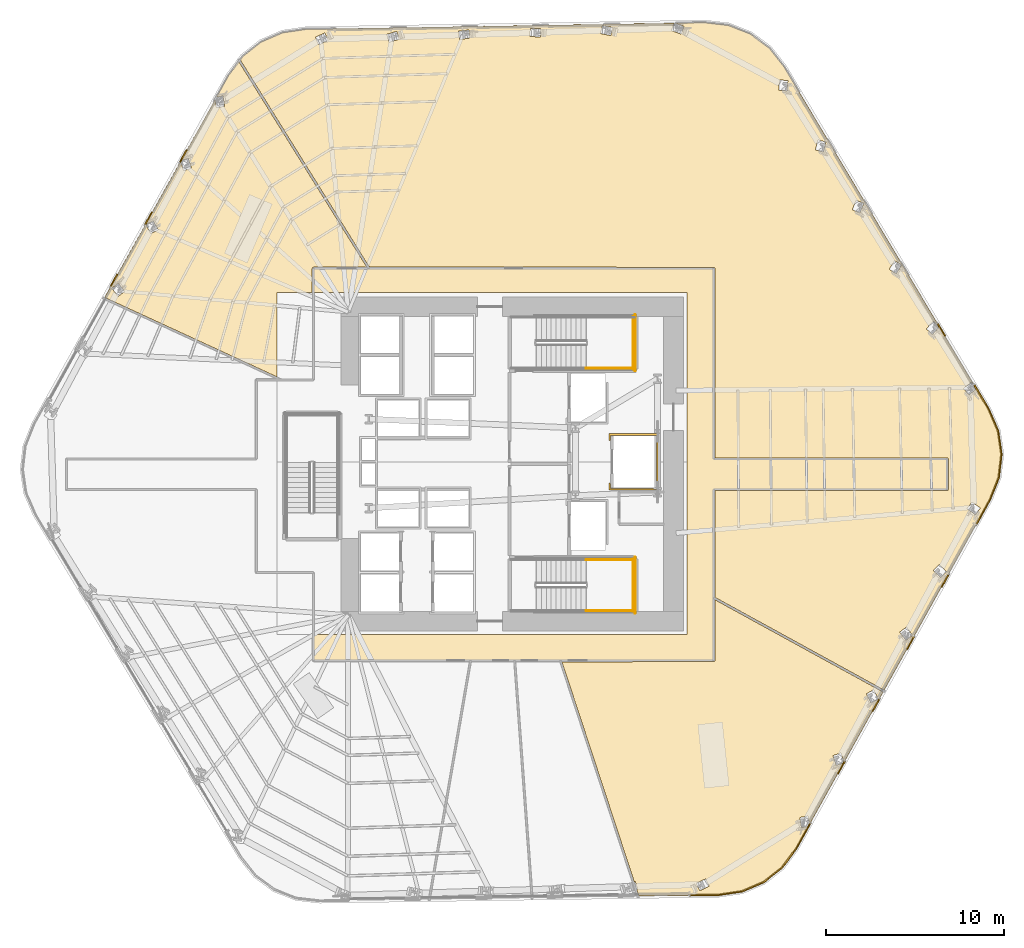
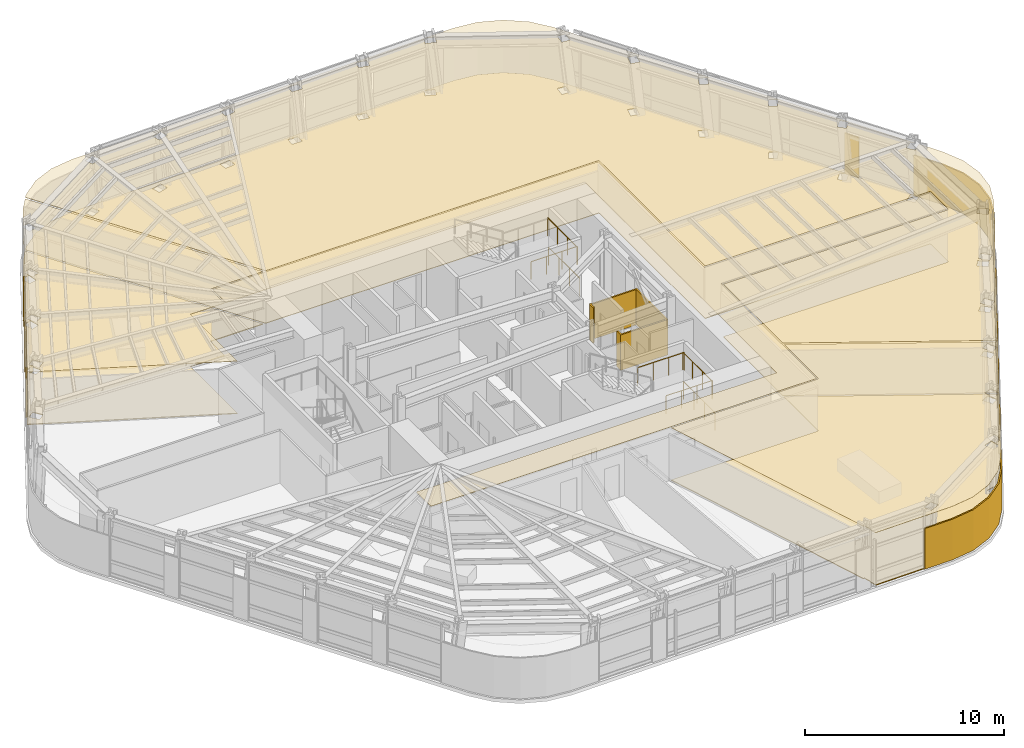
# One storey, part 13 of 15: 18 coverings, 7 railings.
"""IFC4 building model written with IfcOpenShell, lengths in metres."""

from ifc_helpers import new_model, si_unit, direction, frame, origin, origin_2d, place, context, subcontext, project, spatial, polyline, circle, outline, extrude, material, layer, layer_set, type_object, element, save


model = new_model("IFC4")

# Units and contexts
model_context = context("Model", 3, precision=1e-05, world=origin(), true_north=direction((0.0, 1.0)))
body_context = subcontext(model_context, "Body", "Model", "MODEL_VIEW")
ifc_project = project(units=[si_unit("LENGTHUNIT", "METRE"), si_unit("AREAUNIT", "SQUARE_METRE"), si_unit("VOLUMEUNIT", "CUBIC_METRE"), si_unit("PLANEANGLEUNIT", "RADIAN"), si_unit("MASSUNIT", "GRAM", prefix="KILO")], contexts=[model_context])

# Site, building, storey
site_placement = place(None, origin())
site = spatial("IfcSite", under=ifc_project, at=site_placement, CompositionType="ELEMENT")
building_placement = place(site_placement, origin())
building = spatial("IfcBuilding", under=site, at=building_placement, Name="Valkerne Bourse Tower", CompositionType="ELEMENT")
storey_placement = place(building_placement, frame((0.0, 0.0, 27.800048828125)))
storey = spatial("IfcBuildingStorey", under=building, at=storey_placement, Name="L06", CompositionType="ELEMENT", Elevation=27.800048828125)

# Coverings
ifc_material_1 = material(Name="Mineral Fiber Acoustic Ceiling Tile", Category="acoustic")
ifc_layer_1 = layer(ifc_material_1, 0.02490234375)
ifc_layer_set_1 = layer_set([ifc_layer_1], Name="Mineral Fiber Acoustic Ceiling Tile")
covering_type_1 = type_object("IfcCoveringType", Name="COV-CEIL-ACT", PredefinedType="CEILING", material=ifc_layer_set_1)
covering_1_placement = place(storey_placement, frame((0.0, 0.0, 3.22998046875)))
element("IfcCovering", 1, at=covering_1_placement, inside=storey, type_object=covering_type_1, Name="L06 Suspended Ceiling 05", PredefinedType="CEILING", context=body_context, shape_type="SweptSolid", body=[
    extrude(outline(polyline([(38.64599609375, 37.9189453125), (35.6494140625, 37.9189453125), (35.614013671875, 37.908935546875), (35.587890625, 37.880126953125), (35.5810546875, 37.8505859375), (35.5810546875, 36.5), (33.60009765625, 36.5), (33.60009765625, 31.767578125), (23.933349609375, 36.21923828125), (28.18994140625, 43.850830078125), (28.361572265625, 43.333984375), (28.799560546875, 43.477294921875), (28.802001953125, 43.47998046875), (28.620361328125, 44.02685546875), (28.214111328125, 43.89404296875), (30.12939453125, 47.327880859375), (30.207763671875, 46.87451171875), (30.662109375, 46.950927734375), (30.6650390625, 46.953369140625), (30.56689453125, 47.52099609375), (30.202880859375, 47.4599609375), (30.87646484375, 48.66748046875), (31.4619140625, 49.45556640625), (38.64599609375, 37.9189453125)]), holes=[polyline([(25.057373046875, 36.555908203125), (24.709716796875, 37.015380859375), (24.3408203125, 36.73876953125), (24.339599609375, 36.735595703125), (24.687255859375, 36.276123046875), (25.055908203125, 36.552734375), (25.057373046875, 36.555908203125)]), polyline([(26.931884765625, 40.012451171875), (26.93408203125, 40.015380859375), (26.666748046875, 40.52587890625), (26.257568359375, 40.31396484375), (26.255615234375, 40.31103515625), (26.522705078125, 39.80029296875), (26.931884765625, 40.012451171875)])]), origin(), (0.0, 0.0, 1.0), 0.02490234375),
])
covering_2_placement = place(storey_placement, frame((0.0, 0.0, 3.22998046875)))
element("IfcCovering", 2, at=covering_2_placement, inside=storey, type_object=covering_type_1, Name="L06 Suspended Ceiling 06", PredefinedType="CEILING", context=body_context, shape_type="SweptSolid", body=[
    extrude(outline(polyline([(59.69775390625, 2.90185546875), (58.383056640625, 2.70751953125), (53.9091796875, 2.641357421875), (53.79150390625, 2.99951171875), (53.83349609375, 3.01171875), (53.7041015625, 3.455810546875), (53.700439453125, 3.454833984375), (53.646728515625, 3.439208984375), (49.589111328125, 15.781005859375), (58.123779296875, 15.784912109375), (58.156005859375, 15.80908203125), (58.1689453125, 15.849365234375), (58.1689453125, 19.265380859375), (67.6083984375, 14.086181640625), (65.414306640625, 10.135986328125), (65.23828125, 10.666015625), (64.80029296875, 10.522705078125), (64.7978515625, 10.52001953125), (64.9794921875, 9.97314453125), (65.400390625, 10.110595703125), (63.475341796875, 6.644775390625), (63.39208984375, 7.12548828125), (62.93798828125, 7.049072265625), (62.934814453125, 7.046630859375), (63.033203125, 6.47900390625), (63.419189453125, 6.543701171875), (62.7353515625, 5.3125), (61.943115234375, 4.24560546875), (60.90869140625, 3.42578125), (59.69775390625, 2.90185546875)]), holes=[polyline([(57.8447265625, 3.180419921875), (57.650634765625, 3.6005859375), (57.647216796875, 3.59912109375), (57.126708984375, 3.358154296875), (57.32080078125, 2.938232421875), (57.32421875, 2.939697265625), (57.8447265625, 3.180419921875)]), polyline([(67.344482421875, 13.68896484375), (67.077392578125, 14.19970703125), (66.66796875, 13.987548828125), (66.666015625, 13.984619140625), (66.93310546875, 13.47412109375), (67.342529296875, 13.68603515625), (67.344482421875, 13.68896484375)])]), origin(), (0.0, 0.0, 1.0), 0.02490234375),
])
covering_3_placement = place(storey_placement, frame((0.0, 0.0, 3.22998046875)))
element("IfcCovering", 3, at=covering_3_placement, inside=storey, type_object=covering_type_1, Name="L06 Suspended Ceiling 08", PredefinedType="CEILING", context=body_context, shape_type="SweptSolid", body=[
    extrude(outline(polyline([(33.914306640625, 51.078125), (35.22900390625, 51.2724609375), (55.8896484375, 51.615478515625), (55.734375, 51.19580078125), (55.73779296875, 51.194580078125), (56.27587890625, 50.99560546875), (56.4365234375, 51.429443359375), (56.43310546875, 51.430908203125), (55.931884765625, 51.6162109375), (57.6142578125, 51.644287109375), (58.9345703125, 51.491455078125), (60.161376953125, 51.005615234375), (61.220703125, 50.218994140625), (62.046142578125, 49.177490234375), (72.73291015625, 31.28466796875), (72.572509765625, 31.47705078125), (72.128173828125, 31.1103515625), (72.128662109375, 31.106689453125), (72.423828125, 30.752685546875), (72.84375, 31.099365234375), (73.5263671875, 29.956298828125), (74.05419921875, 28.736572265625), (74.2470703125, 27.43115234375), (74.09521484375, 26.120361328125), (73.60595703125, 24.884521484375), (67.665771484375, 14.189208984375), (58.1689453125, 19.400146484375), (58.1689453125, 25.381103515625), (71.210205078125, 25.381591796875), (71.251708984375, 25.40380859375), (71.26904296875, 25.44921875), (71.26904296875, 27.15087890625), (71.251220703125, 27.196533203125), (71.22900390625, 27.212646484375), (71.200439453125, 27.218994140625), (58.1689453125, 27.218994140625), (58.1689453125, 37.8505859375), (58.156005859375, 37.890869140625), (58.122802734375, 37.915283203125), (38.784912109375, 37.9189453125), (31.53759765625, 49.557373046875), (31.6689453125, 49.734619140625), (32.703125, 50.55419921875), (33.914306640625, 51.078125)]), holes=[polyline([(35.952880859375, 50.40087890625), (36.473388671875, 50.641845703125), (36.279296875, 51.061767578125), (36.27587890625, 51.060302734375), (35.755126953125, 50.819580078125), (35.94921875, 50.3994140625), (35.952880859375, 50.40087890625)]), polyline([(39.8994140625, 50.545166015625), (40.450439453125, 50.705810546875), (40.321044921875, 51.14990234375), (40.317626953125, 51.14892578125), (39.7666015625, 50.98828125), (39.89599609375, 50.544189453125), (39.8994140625, 50.545166015625)]), polyline([(44.41748046875, 50.76904296875), (44.361083984375, 51.228271484375), (44.357666015625, 51.227783203125), (43.787841796875, 51.15771484375), (43.84423828125, 50.698486328125), (43.847900390625, 50.698974609375), (44.41748046875, 50.76904296875)]), polyline([(48.3955078125, 51.29833984375), (48.39208984375, 51.298583984375), (47.818603515625, 51.323486328125), (47.79833984375, 50.861328125), (47.8017578125, 50.861083984375), (48.37548828125, 50.836181640625), (48.3955078125, 51.29833984375)]), polyline([(52.421142578125, 51.364013671875), (52.41748046875, 51.36474609375), (51.855712890625, 51.481689453125), (51.761474609375, 51.028564453125), (51.764892578125, 51.02783203125), (52.326904296875, 50.910888671875), (52.421142578125, 51.364013671875)]), polyline([(69.259033203125, 17.26123046875), (69.260498046875, 17.264404296875), (68.91259765625, 17.723876953125), (68.5439453125, 17.447265625), (68.54248046875, 17.444091796875), (68.890380859375, 16.984619140625), (69.259033203125, 17.26123046875)]), polyline([(71.165771484375, 20.837158203125), (71.16650390625, 20.840576171875), (70.749267578125, 21.238037109375), (70.429931640625, 20.90576171875), (70.42919921875, 20.90234375), (70.84619140625, 20.5048828125), (71.165771484375, 20.837158203125)]), polyline([(73.0634765625, 24.413330078125), (72.591552734375, 24.743896484375), (72.3251953125, 24.3681640625), (72.324951171875, 24.3642578125), (72.796630859375, 24.03369140625), (73.06298828125, 24.40966796875), (73.0634765625, 24.413330078125)]), polyline([(70.765380859375, 34.575439453125), (70.764404296875, 34.578857421875), (70.419921875, 34.885009765625), (70.03515625, 34.4560546875), (70.0361328125, 34.45263671875), (70.380615234375, 34.146484375), (70.765380859375, 34.575439453125)]), polyline([(68.651611328125, 38.037353515625), (68.26220703125, 38.2841796875), (67.951416015625, 37.799072265625), (67.952880859375, 37.7958984375), (68.34228515625, 37.549072265625), (68.653076171875, 38.0341796875), (68.651611328125, 38.037353515625)]), polyline([(66.531005859375, 41.491455078125), (66.52880859375, 41.494384765625), (66.10400390625, 41.673583984375), (65.877685546875, 41.1435546875), (65.8798828125, 41.140869140625), (66.304443359375, 40.961669921875), (66.531005859375, 41.491455078125)]), polyline([(64.400634765625, 44.942626953125), (64.398193359375, 44.9453125), (63.9501953125, 45.0537109375), (63.81201171875, 44.494384765625), (63.814453125, 44.49169921875), (64.262451171875, 44.38330078125), (64.400634765625, 44.942626953125)]), polyline([(62.26318359375, 48.38720703125), (61.80419921875, 48.427490234375), (61.750732421875, 47.85400390625), (61.75390625, 47.8515625), (62.212646484375, 47.811279296875), (62.26611328125, 48.385009765625), (62.26318359375, 48.38720703125)])]), origin(), (0.0, 0.0, 1.0), 0.02490234375),
])
ifc_material_2 = material(Name="Bronze Anodised Aluminium AA 6063-T6", Category="aluminium")
ifc_layer_2 = layer(ifc_material_2, 0.030029296875)
ifc_layer_set_2 = layer_set([ifc_layer_2], Name="Bronze Anodised Aluminium AA 6063-T6")
covering_type_2 = type_object("IfcCoveringType", Name="COV-CEIL-METAL", PredefinedType="CEILING", material=ifc_layer_set_2)
covering_4_placement = place(storey_placement, frame((0.0, 0.0, 3.22998046875)))
element("IfcCovering", 4, at=covering_4_placement, inside=storey, type_object=covering_type_2, Name="L06 Suspended Ceiling 01", PredefinedType="CEILING", context=body_context, shape_type="SweptSolid", body=[
    extrude(outline(polyline([(71.196044921875, 27.14599609375), (71.196044921875, 25.4541015625), (58.095947265625, 25.4541015625), (58.095947265625, 15.85400390625), (35.654052734375, 15.85400390625), (35.654052734375, 17.300048828125), (56.60009765625, 17.300048828125), (56.60009765625, 36.5), (35.654052734375, 36.5), (35.654052734375, 37.845947265625), (58.095947265625, 37.845947265625), (58.095947265625, 27.14599609375), (71.196044921875, 27.14599609375)])), origin(), (0.0, 0.0, 1.0), 0.02490234375),
])
ifc_layer_3 = layer(ifc_material_2, 0.06005859375)
ifc_layer_set_3 = layer_set([ifc_layer_3], Name="Bronze Anodised Aluminium AA 6063-T6")
covering_type_3 = type_object("IfcCoveringType", Name="COV-CRN-ALUM", PredefinedType="CLADDING", material=ifc_layer_set_3)
covering_5_placement = place(storey_placement, origin())
element("IfcCovering", 5, at=covering_5_placement, inside=storey, type_object=covering_type_3, Name="L06 Wind-Shaped Corner Aluminium Cladding 01", PredefinedType="CLADDING", context=body_context, shape_type="SweptSolid", body=[
    extrude(outline(polyline([(61.974853515625, 4.214599609375), (60.931640625, 3.3876953125), (59.7099609375, 2.859130859375), (58.38671875, 2.663818359375), (56.75390625, 2.639404296875), (56.752685546875, 2.719482421875), (58.380126953125, 2.74365234375), (59.68798828125, 2.936767578125), (60.89013671875, 3.45703125), (61.9169921875, 4.270751953125), (62.705078125, 5.33203125), (63.495361328125, 6.7548828125), (63.565185546875, 6.716064453125), (62.7724609375, 5.28857421875), (61.974853515625, 4.214599609375)])), origin(), (0.0, 0.0, 1.0), 2.5),
])
covering_6_placement = place(storey_placement, origin())
element("IfcCovering", 6, at=covering_6_placement, inside=storey, type_object=covering_type_3, Name="L06 Wind-Shaped Corner Aluminium Cladding 13", PredefinedType="CLADDING", context=body_context, shape_type="SweptSolid", body=[
    extrude(outline(polyline([(24.619384765625, 37.53955078125), (24.689208984375, 37.500732421875), (24.280029296875, 36.76708984375), (24.210205078125, 36.805908203125), (24.619384765625, 37.53955078125)])), origin(), (0.0, 0.0, 1.0), 2.5),
])
covering_7_placement = place(storey_placement, origin())
element("IfcCovering", 7, at=covering_7_placement, inside=storey, type_object=covering_type_3, Name="L06 Wind-Shaped Corner Aluminium Cladding 14", PredefinedType="CLADDING", context=body_context, shape_type="SweptSolid", body=[
    extrude(outline(polyline([(26.56591796875, 41.029296875), (26.6357421875, 40.990478515625), (26.2265625, 40.257080078125), (26.15673828125, 40.2958984375), (26.56591796875, 41.029296875)])), origin(), (0.0, 0.0, 1.0), 2.5),
])
covering_8_placement = place(storey_placement, origin())
element("IfcCovering", 8, at=covering_8_placement, inside=storey, type_object=covering_type_3, Name="L06 Wind-Shaped Corner Aluminium Cladding 15", PredefinedType="CLADDING", context=body_context, shape_type="SweptSolid", body=[
    extrude(outline(polyline([(28.512451171875, 44.519287109375), (28.582275390625, 44.48046875), (28.173095703125, 43.746826171875), (28.103271484375, 43.785888671875), (28.512451171875, 44.519287109375)])), origin(), (0.0, 0.0, 1.0), 2.5),
])
covering_9_placement = place(storey_placement, origin())
element("IfcCovering", 9, at=covering_9_placement, inside=storey, type_object=covering_type_3, Name="L06 Wind-Shaped Corner Aluminium Cladding 25", PredefinedType="CLADDING", context=body_context, shape_type="SweptSolid", body=[
    extrude(outline(polyline([(71.115966796875, 34.077880859375), (71.04736328125, 34.03662109375), (70.61669921875, 34.7578125), (70.685302734375, 34.799072265625), (71.115966796875, 34.077880859375)])), origin(), (0.0, 0.0, 1.0), 2.5),
])
covering_10_placement = place(storey_placement, origin())
element("IfcCovering", 10, at=covering_10_placement, inside=storey, type_object=covering_type_3, Name="L06 Wind-Shaped Corner Aluminium Cladding 26", PredefinedType="CLADDING", context=body_context, shape_type="SweptSolid", body=[
    extrude(outline(polyline([(73.5654296875, 29.9765625), (74.0966796875, 28.748779296875), (74.291259765625, 27.431884765625), (74.13818359375, 26.109619140625), (73.645751953125, 24.86572265625), (72.858642578125, 23.448486328125), (72.788818359375, 23.4873046875), (73.573486328125, 24.89990234375), (74.06005859375, 26.129150390625), (74.210693359375, 27.4306640625), (74.019287109375, 28.726806640625), (73.494140625, 29.93994140625), (72.66552734375, 31.3271484375), (72.734130859375, 31.368408203125), (73.5654296875, 29.9765625)])), origin(), (0.0, 0.0, 1.0), 2.5),
])
covering_11_placement = place(storey_placement, origin())
element("IfcCovering", 11, at=covering_11_placement, inside=storey, type_object=covering_type_3, Name="L06 Wind-Shaped Corner Aluminium Cladding 27", PredefinedType="CLADDING", context=body_context, shape_type="SweptSolid", body=[
    extrude(outline(polyline([(70.91845703125, 19.955078125), (70.848388671875, 19.994140625), (71.25634765625, 20.728271484375), (71.326416015625, 20.689453125), (70.91845703125, 19.955078125)])), origin(), (0.0, 0.0, 1.0), 2.5),
])
covering_12_placement = place(storey_placement, origin())
element("IfcCovering", 12, at=covering_12_placement, inside=storey, type_object=covering_type_3, Name="L06 Wind-Shaped Corner Aluminium Cladding 28", PredefinedType="CLADDING", context=body_context, shape_type="SweptSolid", body=[
    extrude(outline(polyline([(68.978271484375, 16.4619140625), (68.908203125, 16.500732421875), (69.316162109375, 17.235107421875), (69.385986328125, 17.196044921875), (68.978271484375, 16.4619140625)])), origin(), (0.0, 0.0, 1.0), 2.5),
])
covering_13_placement = place(storey_placement, origin())
element("IfcCovering", 13, at=covering_13_placement, inside=storey, type_object=covering_type_3, Name="L06 Wind-Shaped Corner Aluminium Cladding 29", PredefinedType="CLADDING", context=body_context, shape_type="SweptSolid", body=[
    extrude(outline(polyline([(67.037841796875, 12.968505859375), (66.968017578125, 13.00732421875), (67.3759765625, 13.74169921875), (67.44580078125, 13.70263671875), (67.037841796875, 12.968505859375)])), origin(), (0.0, 0.0, 1.0), 2.5),
])
covering_14_placement = place(storey_placement, origin())
element("IfcCovering", 14, at=covering_14_placement, inside=storey, type_object=covering_type_3, Name="L06 Wind-Shaped Corner Aluminium Cladding 30", PredefinedType="CLADDING", context=body_context, shape_type="SweptSolid", body=[
    extrude(outline(polyline([(65.09765625, 9.47509765625), (65.02783203125, 9.513916015625), (65.435546875, 10.248291015625), (65.505615234375, 10.20947265625), (65.09765625, 9.47509765625)])), origin(), (0.0, 0.0, 1.0), 2.5),
])
ifc_material_3 = material(Name="Galvanised Painted Steel", Category="steel")
ifc_layer_4 = layer(ifc_material_3, 0.044921875)
ifc_layer_set_4 = layer_set([ifc_layer_4], Name="Galvanised Painted Steel")
covering_type_4 = type_object("IfcCoveringType", Name="COV-FLR-RAF", PredefinedType="FLOORING", material=ifc_layer_set_4)
covering_15_placement = place(storey_placement, origin())
element("IfcCovering", 15, at=covering_15_placement, inside=storey, type_object=covering_type_4, Name="L06 Floor Finish 05", PredefinedType="FLOORING", context=body_context, shape_type="SweptSolid", body=[
    extrude(outline(polyline([(38.64599609375, 37.9189453125), (35.6494140625, 37.9189453125), (35.614013671875, 37.908935546875), (35.587890625, 37.880126953125), (35.5810546875, 37.8505859375), (35.5810546875, 36.5), (33.60009765625, 36.5), (33.60009765625, 31.767578125), (23.933349609375, 36.21923828125), (28.18994140625, 43.850830078125), (28.361572265625, 43.333984375), (28.799560546875, 43.477294921875), (28.802001953125, 43.47998046875), (28.620361328125, 44.02685546875), (28.214111328125, 43.89404296875), (30.12939453125, 47.327880859375), (30.207763671875, 46.87451171875), (30.662109375, 46.950927734375), (30.6650390625, 46.953369140625), (30.56689453125, 47.52099609375), (30.202880859375, 47.4599609375), (30.87646484375, 48.66748046875), (31.4619140625, 49.45556640625), (38.64599609375, 37.9189453125)]), holes=[polyline([(25.057373046875, 36.555908203125), (24.709716796875, 37.015380859375), (24.3408203125, 36.73876953125), (24.339599609375, 36.735595703125), (24.687255859375, 36.276123046875), (25.055908203125, 36.552734375), (25.057373046875, 36.555908203125)]), polyline([(26.931884765625, 40.012451171875), (26.93408203125, 40.015380859375), (26.666748046875, 40.52587890625), (26.257568359375, 40.31396484375), (26.255615234375, 40.31103515625), (26.522705078125, 39.80029296875), (26.931884765625, 40.012451171875)])]), origin(), (0.0, 0.0, 1.0), 0.044921875),
])
covering_16_placement = place(storey_placement, origin())
element("IfcCovering", 16, at=covering_16_placement, inside=storey, type_object=covering_type_4, Name="L06 Floor Finish 06", PredefinedType="FLOORING", context=body_context, shape_type="SweptSolid", body=[
    extrude(outline(polyline([(59.69775390625, 2.90185546875), (58.383056640625, 2.70751953125), (53.9091796875, 2.641357421875), (53.79150390625, 2.99951171875), (53.83349609375, 3.01171875), (53.7041015625, 3.455810546875), (53.700439453125, 3.454833984375), (53.646728515625, 3.439208984375), (49.589111328125, 15.781005859375), (58.123779296875, 15.784912109375), (58.156005859375, 15.80908203125), (58.1689453125, 15.849365234375), (58.1689453125, 19.265380859375), (67.6083984375, 14.086181640625), (65.414306640625, 10.135986328125), (65.23828125, 10.666015625), (64.80029296875, 10.522705078125), (64.7978515625, 10.52001953125), (64.9794921875, 9.97314453125), (65.400390625, 10.110595703125), (63.475341796875, 6.644775390625), (63.39208984375, 7.12548828125), (62.93798828125, 7.049072265625), (62.934814453125, 7.046630859375), (63.033203125, 6.47900390625), (63.419189453125, 6.543701171875), (62.7353515625, 5.3125), (61.943115234375, 4.24560546875), (60.90869140625, 3.42578125), (59.69775390625, 2.90185546875)]), holes=[polyline([(57.8447265625, 3.180419921875), (57.650634765625, 3.6005859375), (57.647216796875, 3.59912109375), (57.126708984375, 3.358154296875), (57.32080078125, 2.938232421875), (57.32421875, 2.939697265625), (57.8447265625, 3.180419921875)]), polyline([(67.344482421875, 13.68896484375), (67.077392578125, 14.19970703125), (66.66796875, 13.987548828125), (66.666015625, 13.984619140625), (66.93310546875, 13.47412109375), (67.342529296875, 13.68603515625), (67.344482421875, 13.68896484375)])]), origin(), (0.0, 0.0, 1.0), 0.044921875),
])
ifc_material_4 = material(Name="Polished Granite Stone", Category="masonry")
ifc_layer_5 = layer(ifc_material_4, 0.030029296875)
ifc_layer_set_5 = layer_set([ifc_layer_5], Name="Polished Granite Stone")
covering_type_5 = type_object("IfcCoveringType", Name="COV-FLR-TERRAZZO", PredefinedType="FLOORING", material=ifc_layer_set_5)
covering_17_placement = place(storey_placement, origin())
element("IfcCovering", 17, at=covering_17_placement, inside=storey, type_object=covering_type_5, Name="L06 Floor Finish 08", PredefinedType="FLOORING", context=body_context, shape_type="SweptSolid", body=[
    extrude(outline(polyline([(33.914306640625, 51.078125), (35.22900390625, 51.2724609375), (55.8896484375, 51.615478515625), (55.734375, 51.19580078125), (55.73779296875, 51.194580078125), (56.27587890625, 50.99560546875), (56.4365234375, 51.429443359375), (56.43310546875, 51.430908203125), (55.931884765625, 51.6162109375), (57.6142578125, 51.644287109375), (58.9345703125, 51.491455078125), (60.161376953125, 51.005615234375), (61.220703125, 50.218994140625), (62.046142578125, 49.177490234375), (72.73291015625, 31.28466796875), (72.572509765625, 31.47705078125), (72.128173828125, 31.1103515625), (72.128662109375, 31.106689453125), (72.423828125, 30.752685546875), (72.84375, 31.099365234375), (73.5263671875, 29.956298828125), (74.05419921875, 28.736572265625), (74.2470703125, 27.43115234375), (74.09521484375, 26.120361328125), (73.60595703125, 24.884521484375), (67.665771484375, 14.189208984375), (58.1689453125, 19.400146484375), (58.1689453125, 25.381103515625), (71.210205078125, 25.381591796875), (71.251708984375, 25.40380859375), (71.26904296875, 25.44921875), (71.26904296875, 27.15087890625), (71.251220703125, 27.196533203125), (71.22900390625, 27.212646484375), (71.200439453125, 27.218994140625), (58.1689453125, 27.218994140625), (58.1689453125, 37.8505859375), (58.156005859375, 37.890869140625), (58.122802734375, 37.915283203125), (38.784912109375, 37.9189453125), (31.53759765625, 49.557373046875), (31.6689453125, 49.734619140625), (32.703125, 50.55419921875), (33.914306640625, 51.078125)]), holes=[polyline([(35.952880859375, 50.40087890625), (36.473388671875, 50.641845703125), (36.279296875, 51.061767578125), (36.27587890625, 51.060302734375), (35.755126953125, 50.819580078125), (35.94921875, 50.3994140625), (35.952880859375, 50.40087890625)]), polyline([(39.8994140625, 50.545166015625), (40.450439453125, 50.705810546875), (40.321044921875, 51.14990234375), (40.317626953125, 51.14892578125), (39.7666015625, 50.98828125), (39.89599609375, 50.544189453125), (39.8994140625, 50.545166015625)]), polyline([(44.41748046875, 50.76904296875), (44.361083984375, 51.228271484375), (44.357666015625, 51.227783203125), (43.787841796875, 51.15771484375), (43.84423828125, 50.698486328125), (43.847900390625, 50.698974609375), (44.41748046875, 50.76904296875)]), polyline([(48.3955078125, 51.29833984375), (48.39208984375, 51.298583984375), (47.818603515625, 51.323486328125), (47.79833984375, 50.861328125), (47.8017578125, 50.861083984375), (48.37548828125, 50.836181640625), (48.3955078125, 51.29833984375)]), polyline([(52.421142578125, 51.364013671875), (52.41748046875, 51.36474609375), (51.855712890625, 51.481689453125), (51.761474609375, 51.028564453125), (51.764892578125, 51.02783203125), (52.326904296875, 50.910888671875), (52.421142578125, 51.364013671875)]), polyline([(69.259033203125, 17.26123046875), (69.260498046875, 17.264404296875), (68.91259765625, 17.723876953125), (68.5439453125, 17.447265625), (68.54248046875, 17.444091796875), (68.890380859375, 16.984619140625), (69.259033203125, 17.26123046875)]), polyline([(71.165771484375, 20.837158203125), (71.16650390625, 20.840576171875), (70.749267578125, 21.238037109375), (70.429931640625, 20.90576171875), (70.42919921875, 20.90234375), (70.84619140625, 20.5048828125), (71.165771484375, 20.837158203125)]), polyline([(73.0634765625, 24.413330078125), (72.591552734375, 24.743896484375), (72.3251953125, 24.3681640625), (72.324951171875, 24.3642578125), (72.796630859375, 24.03369140625), (73.06298828125, 24.40966796875), (73.0634765625, 24.413330078125)]), polyline([(70.765380859375, 34.575439453125), (70.764404296875, 34.578857421875), (70.419921875, 34.885009765625), (70.03515625, 34.4560546875), (70.0361328125, 34.45263671875), (70.380615234375, 34.146484375), (70.765380859375, 34.575439453125)]), polyline([(68.651611328125, 38.037353515625), (68.26220703125, 38.2841796875), (67.951416015625, 37.799072265625), (67.952880859375, 37.7958984375), (68.34228515625, 37.549072265625), (68.653076171875, 38.0341796875), (68.651611328125, 38.037353515625)]), polyline([(66.531005859375, 41.491455078125), (66.52880859375, 41.494384765625), (66.10400390625, 41.673583984375), (65.877685546875, 41.1435546875), (65.8798828125, 41.140869140625), (66.304443359375, 40.961669921875), (66.531005859375, 41.491455078125)]), polyline([(64.400634765625, 44.942626953125), (64.398193359375, 44.9453125), (63.9501953125, 45.0537109375), (63.81201171875, 44.494384765625), (63.814453125, 44.49169921875), (64.262451171875, 44.38330078125), (64.400634765625, 44.942626953125)]), polyline([(62.26318359375, 48.38720703125), (61.80419921875, 48.427490234375), (61.750732421875, 47.85400390625), (61.75390625, 47.8515625), (62.212646484375, 47.811279296875), (62.26611328125, 48.385009765625), (62.26318359375, 48.38720703125)])]), origin(), (0.0, 0.0, 1.0), 0.030029296875),
])
ifc_material_5 = material(Name="Gypsum Shaftwall Liner Board", Category="gypsum")
ifc_layer_6 = layer(ifc_material_5, 0.080078125)
ifc_layer_set_6 = layer_set([ifc_layer_6], Name="Gypsum Shaftwall Liner Board")
covering_type_6 = type_object("IfcCoveringType", Name="COV-SHF-CLAD", PredefinedType="CLADDING", material=ifc_layer_set_6)
covering_18_placement = place(storey_placement, origin())
element("IfcCovering", 18, at=covering_18_placement, inside=storey, type_object=covering_type_6, Name="L06 Hoistway & Riser Shaftwall Liner 08", PredefinedType="CLADDING", context=body_context, shape_type="SweptSolid", body=[
    extrude(outline(polyline([(54.97998046875, 25.419921875), (52.219970703125, 25.419921875), (52.219970703125, 25.81787109375), (52.227783203125, 25.814208984375), (52.269287109375, 25.79931640625), (52.31005859375, 25.789306640625), (52.31005859375, 25.510009765625), (54.889892578125, 25.510009765625), (54.889892578125, 28.489990234375), (52.31005859375, 28.489990234375), (52.31005859375, 28.210693359375), (52.269287109375, 28.20068359375), (52.227783203125, 28.185791015625), (52.219970703125, 28.18212890625), (52.219970703125, 28.580078125), (54.97998046875, 28.580078125), (54.97998046875, 25.419921875)])), origin(), (0.0, 0.0, 1.0), 2.179931640625),
])

# Railings
railing_type = type_object("IfcRailingType", Name="RLG-ST-GUARD-1120", PredefinedType="GUARDRAIL", material=ifc_material_3)
for number, where, name in (
    (19, (50.949951171875, 18.64990234375, 1.89990234375), "L06 ST-1 stair guard 3"),
    (20, (50.949951171875, 21.5, 1.89990234375), "L06 ST-1 stair guard 4"),
):
    element("IfcRailing", number, at=place(storey_placement, frame(where)), inside=storey, type_object=railing_type, Name=name, PredefinedType="GUARDRAIL", context=body_context, shape_type="SweptSolid", body=[
        extrude(circle(Radius=0.02392578125, at=origin_2d()), frame((0.0, 0.0, 1.09619140625), z_axis=(1.0, 0.0, 0.0), x_axis=(0.0, 1.0, 0.0)), (0.0, 0.0, 1.0), 2.699951171875),
        extrude(circle(Radius=0.02099609375, at=origin_2d()), origin(), (0.0, 0.0, 1.0), 1.072021484375),
        extrude(circle(Radius=0.02099609375, at=origin_2d()), frame((0.89990234375, 0.0, 0.0)), (0.0, 0.0, 1.0), 1.072021484375),
        extrude(circle(Radius=0.02099609375, at=origin_2d()), frame((1.800048828125, 0.0, 0.0)), (0.0, 0.0, 1.0), 1.072021484375),
        extrude(circle(Radius=0.02099609375, at=origin_2d()), frame((2.699951171875, 0.0, 0.0)), (0.0, 0.0, 1.0), 1.072021484375),
    ])
railing_1_placement = place(storey_placement, frame((53.60009765625, 18.60009765625, 1.89990234375)))
element("IfcRailing", 21, at=railing_1_placement, inside=storey, type_object=railing_type, Name="L06 ST-1 stair guard 5", PredefinedType="GUARDRAIL", context=body_context, shape_type="SweptSolid", body=[
    extrude(circle(Radius=0.02392578125, at=origin_2d()), frame((0.0, 0.0, 1.09619140625), z_axis=(0.0, 1.0, 0.0), x_axis=(-1.0, 0.0, 0.0)), (0.0, 0.0, 1.0), 2.949951171875),
    extrude(circle(Radius=0.02099609375, at=origin_2d()), origin(), (0.0, 0.0, 1.0), 1.072021484375),
    extrude(circle(Radius=0.02099609375, at=origin_2d()), frame((0.0, 0.9833984375, 0.0)), (0.0, 0.0, 1.0), 1.072021484375),
    extrude(circle(Radius=0.02099609375, at=origin_2d()), frame((0.0, 1.966552734375, 0.0)), (0.0, 0.0, 1.0), 1.072021484375),
    extrude(circle(Radius=0.02099609375, at=origin_2d()), frame((0.0, 2.949951171875, 0.0)), (0.0, 0.0, 1.0), 1.072021484375),
])
railing_2_placement = place(storey_placement, frame((53.699951171875, 18.5, 0.0)))
element("IfcRailing", 22, at=railing_2_placement, inside=storey, type_object=railing_type, Name="L06 ST-1 stair guard 12", PredefinedType="GUARDRAIL", context=body_context, shape_type="SweptSolid", body=[
    extrude(circle(Radius=0.02392578125, at=origin_2d()), frame((0.0, 0.0, 1.09619140625), z_axis=(0.0, 1.0, 0.0), x_axis=(-1.0, 0.0, 0.0)), (0.0, 0.0, 1.0), 3.14990234375),
    extrude(circle(Radius=0.02099609375, at=origin_2d()), origin(), (0.0, 0.0, 1.0), 1.072021484375),
    extrude(circle(Radius=0.02099609375, at=origin_2d()), frame((0.0, 1.050048828125, 0.0)), (0.0, 0.0, 1.0), 1.072021484375),
    extrude(circle(Radius=0.02099609375, at=origin_2d()), frame((0.0, 2.099853515625, 0.0)), (0.0, 0.0, 1.0), 1.072021484375),
    extrude(circle(Radius=0.02099609375, at=origin_2d()), frame((0.0, 3.14990234375, 0.0)), (0.0, 0.0, 1.0), 1.072021484375),
])
railing_3_placement = place(storey_placement, frame((50.949951171875, 32.25, 1.89990234375)))
element("IfcRailing", 23, at=railing_3_placement, inside=storey, type_object=railing_type, Name="L06 ST-2 stair guard 3", PredefinedType="GUARDRAIL", context=body_context, shape_type="SweptSolid", body=[
    extrude(circle(Radius=0.02392578125, at=origin_2d()), frame((0.0, 0.0, 1.09619140625), z_axis=(1.0, 0.0, 0.0), x_axis=(0.0, 1.0, 0.0)), (0.0, 0.0, 1.0), 2.699951171875),
    extrude(circle(Radius=0.02099609375, at=origin_2d()), origin(), (0.0, 0.0, 1.0), 1.072021484375),
    extrude(circle(Radius=0.02099609375, at=origin_2d()), frame((0.89990234375, 0.0, 0.0)), (0.0, 0.0, 1.0), 1.072021484375),
    extrude(circle(Radius=0.02099609375, at=origin_2d()), frame((1.800048828125, 0.0, 0.0)), (0.0, 0.0, 1.0), 1.072021484375),
    extrude(circle(Radius=0.02099609375, at=origin_2d()), frame((2.699951171875, 0.0, 0.0)), (0.0, 0.0, 1.0), 1.072021484375),
])
railing_4_placement = place(storey_placement, frame((53.60009765625, 32.199951171875, 1.89990234375)))
element("IfcRailing", 24, at=railing_4_placement, inside=storey, type_object=railing_type, Name="L06 ST-2 stair guard 5", PredefinedType="GUARDRAIL", context=body_context, shape_type="SweptSolid", body=[
    extrude(circle(Radius=0.02392578125, at=origin_2d()), frame((0.0, 0.0, 1.09619140625), z_axis=(0.0, 1.0, 0.0), x_axis=(-1.0, 0.0, 0.0)), (0.0, 0.0, 1.0), 2.949951171875),
    extrude(circle(Radius=0.02099609375, at=origin_2d()), origin(), (0.0, 0.0, 1.0), 1.072021484375),
    extrude(circle(Radius=0.02099609375, at=origin_2d()), frame((0.0, 0.9833984375, 0.0)), (0.0, 0.0, 1.0), 1.072021484375),
    extrude(circle(Radius=0.02099609375, at=origin_2d()), frame((0.0, 1.966552734375, 0.0)), (0.0, 0.0, 1.0), 1.072021484375),
    extrude(circle(Radius=0.02099609375, at=origin_2d()), frame((0.0, 2.949951171875, 0.0)), (0.0, 0.0, 1.0), 1.072021484375),
])
railing_5_placement = place(storey_placement, frame((53.699951171875, 32.10009765625, 0.0)))
element("IfcRailing", 25, at=railing_5_placement, inside=storey, type_object=railing_type, Name="L06 ST-2 stair guard 12", PredefinedType="GUARDRAIL", context=body_context, shape_type="SweptSolid", body=[
    extrude(circle(Radius=0.02392578125, at=origin_2d()), frame((0.0, 0.0, 1.09619140625), z_axis=(0.0, 1.0, 0.0), x_axis=(-1.0, 0.0, 0.0)), (0.0, 0.0, 1.0), 3.14990234375),
    extrude(circle(Radius=0.02099609375, at=origin_2d()), origin(), (0.0, 0.0, 1.0), 1.072021484375),
    extrude(circle(Radius=0.02099609375, at=origin_2d()), frame((0.0, 1.050048828125, 0.0)), (0.0, 0.0, 1.0), 1.072021484375),
    extrude(circle(Radius=0.02099609375, at=origin_2d()), frame((0.0, 2.099853515625, 0.0)), (0.0, 0.0, 1.0), 1.072021484375),
    extrude(circle(Radius=0.02099609375, at=origin_2d()), frame((0.0, 3.14990234375, 0.0)), (0.0, 0.0, 1.0), 1.072021484375),
])

save(model, "model.ifc")
